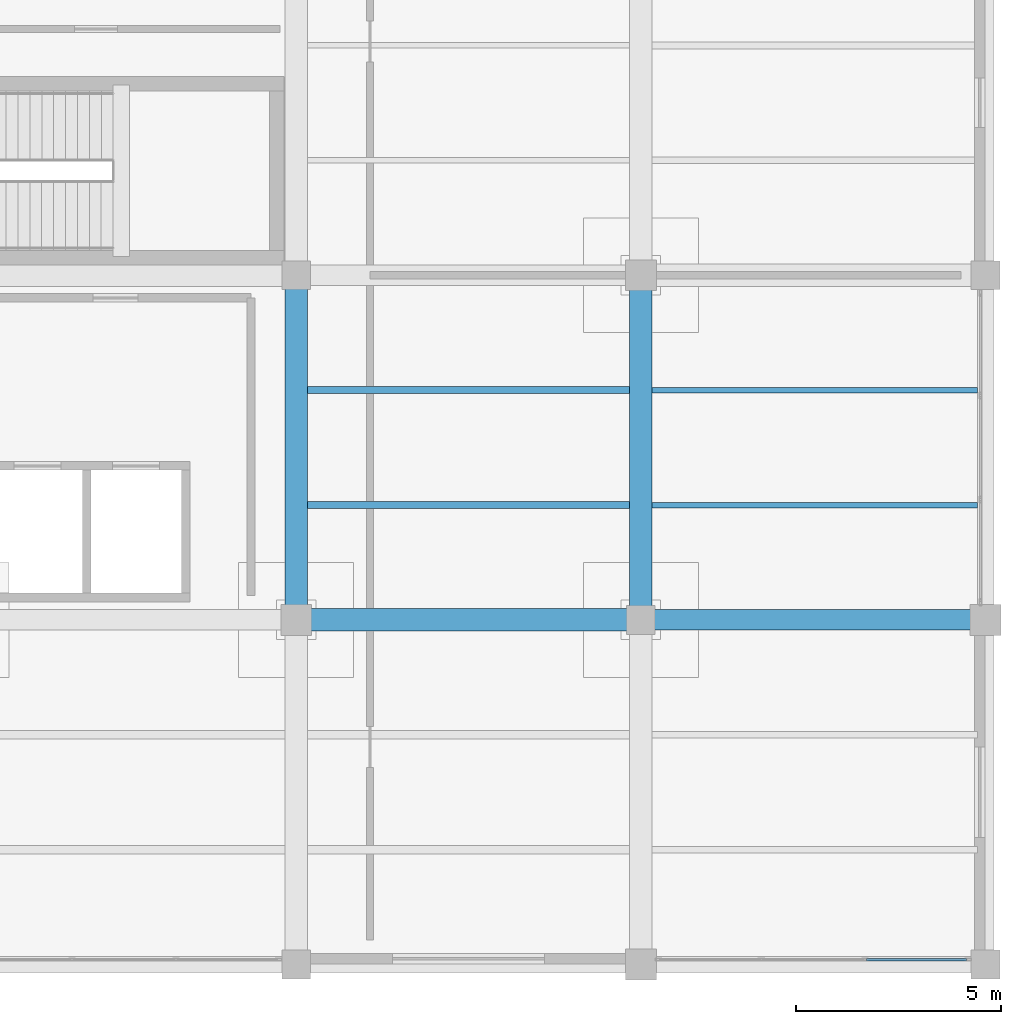
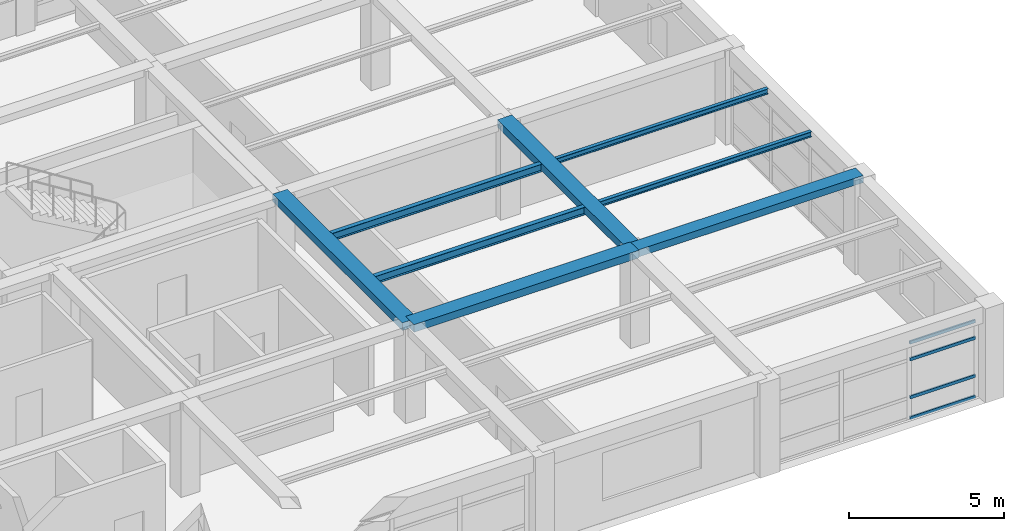
# One storey, part 14 of 31: 8 beams, 4 members, 1 element without a shape of its own.
"""IFC4 building model written with IfcOpenShell, lengths in metres."""

from ifc_helpers import new_model, si_unit, direction, frame, origin, origin_2d, place, context, subcontext, project, spatial, rectangle, hollow_rectangle, i_section, extrude, material, material_profile, profile_set, type_object, element, aggregate, save


model = new_model("IFC4")

# Units and contexts
model_context = context("Model", 3, precision=1e-05, world=origin(), true_north=direction((0.0, 1.0)))
body_context = subcontext(model_context, "Body", "Model", "MODEL_VIEW")
ifc_project = project(units=[si_unit("LENGTHUNIT", "METRE"), si_unit("AREAUNIT", "SQUARE_METRE"), si_unit("VOLUMEUNIT", "CUBIC_METRE"), si_unit("PLANEANGLEUNIT", "RADIAN"), si_unit("MASSUNIT", "GRAM", prefix="KILO")], contexts=[model_context])

# Site, building, storey
site_placement = place(None, origin())
site = spatial("IfcSite", under=ifc_project, at=site_placement, CompositionType="ELEMENT")
building_placement = place(site_placement, origin())
building = spatial("IfcBuilding", under=site, at=building_placement, Name="Almacenes y Pasaje Nevantli", CompositionType="ELEMENT")
storey_placement = place(building_placement, frame((0.0, 0.0, 34.699951171875)))
storey = spatial("IfcBuildingStorey", under=building, at=storey_placement, Name="L08", CompositionType="ELEMENT", Elevation=34.699951171875)

# Beams
ifc_material_1 = material(Name="Concrete C35/45", Category="concrete")
ifc_material_profile_1 = material_profile(ifc_material_1, rectangle(XDim=0.5, YDim=0.280029296875, at=origin_2d()), Name="RC-BM-500x280")
ifc_profile_set_1 = profile_set([ifc_material_profile_1], Name="Concrete C35/45")
beam_type_1 = type_object("IfcBeamType", Name="BM-RC-500x280", PredefinedType="BEAM", material=ifc_profile_set_1)
beam_placement = place(storey_placement, frame((151.199951171875, 75.60009765625, 3.580078125), z_axis=(1.0, 0.0, 0.0), x_axis=(0.0, 1.0, 0.0)))
element("IfcBeam", 1, at=beam_placement, inside=storey, type_object=beam_type_1, Name="L08 East-West Reinforced Concrete Beam #3696", PredefinedType="BEAM", context=body_context, shape_type="SweptSolid", body=[
    extrude(rectangle(XDim=0.5, YDim=0.280029296875, at=origin_2d()), origin(), (0.0, 0.0, 1.0), 8.400146484375),
])
ifc_material_2 = material(Name="Concrete C35/45", Category="concrete")
ifc_material_profile_2 = material_profile(ifc_material_2, rectangle(XDim=0.550048828125, YDim=0.300048828125, at=origin_2d()), Name="RC-BM-550x300")
ifc_profile_set_2 = profile_set([ifc_material_profile_2], Name="Concrete C35/45")
beam_type_2 = type_object("IfcBeamType", Name="BM-RC-550x300", PredefinedType="BEAM", material=ifc_profile_set_2)
for number, where, z_axis, x_axis, name in (
    (2, (142.800048828125, 75.60009765625, 3.570068359375), (1.0, 0.0, 0.0), (0.0, 1.0, 0.0), "L08 East-West Reinforced Concrete Beam #3695"),
    (3, (142.800048828125, 75.60009765625, 3.570068359375), (0.0, 1.0, 0.0), (-1.0, 0.0, 0.0), "L08 North-South Reinforced Concrete Beam #3730"),
    (4, (151.199951171875, 75.60009765625, 3.570068359375), (0.0, 1.0, 0.0), (-1.0, 0.0, 0.0), "L08 North-South Reinforced Concrete Beam #3734"),
):
    element("IfcBeam", number, at=place(storey_placement, frame(where, z_axis=z_axis, x_axis=x_axis)), inside=storey, type_object=beam_type_2, Name=name, PredefinedType="BEAM", context=body_context, shape_type="SweptSolid", body=[
        extrude(rectangle(XDim=0.550048828125, YDim=0.300048828125, at=origin_2d()), origin(), (0.0, 0.0, 1.0), 8.39990234375),
    ])
ifc_material_3 = material(Name="Steel ASTM A992", Category="steel")
ifc_material_profile_3 = material_profile(ifc_material_3, i_section(OverallWidth=0.134033203125, OverallDepth=0.2099609375, WebThickness=0.00634765625, FlangeThickness=0.01025390625, at=origin_2d()), Name="IR 203x31.3")
ifc_profile_set_3 = profile_set([ifc_material_profile_3], Name="Steel ASTM A992")
beam_type_3 = type_object("IfcBeamType", Name="BM-STL-IR-203x31p3", PredefinedType="JOIST", material=ifc_profile_set_3)
for number, where, z_axis, x_axis, name in (
    (5, (151.47509765625, 78.39990234375, 3.60693359375), (1.0, 0.0, 0.0), (0.0, 1.0, 0.0), "L08 Secondary Steel Floor Joist #1449"),
    (6, (151.47509765625, 81.199951171875, 3.60693359375), (1.0, 0.0, 0.0), (0.0, 1.0, 0.0), "L08 Secondary Steel Floor Joist #1450"),
):
    element("IfcBeam", number, at=place(storey_placement, frame(where, z_axis=z_axis, x_axis=x_axis)), inside=storey, type_object=beam_type_3, Name=name, PredefinedType="JOIST", context=body_context, shape_type="SweptSolid", body=[
        extrude(i_section(OverallWidth=0.134033203125, OverallDepth=0.2099609375, WebThickness=0.00634765625, FlangeThickness=0.01025390625, at=origin_2d()), origin(), (0.0, 0.0, 1.0), 7.9248046875),
    ])
ifc_material_4 = material(Name="Steel ASTM A992", Category="steel")
ifc_material_profile_4 = material_profile(ifc_material_4, i_section(OverallWidth=0.1650390625, OverallDepth=0.306884765625, WebThickness=0.006591796875, FlangeThickness=0.01025390625, at=origin_2d()), Name="IR 305x44.6")
ifc_profile_set_4 = profile_set([ifc_material_profile_4], Name="Steel ASTM A992")
beam_type_4 = type_object("IfcBeamType", Name="BM-STL-IR-305x44p6", PredefinedType="JOIST", material=ifc_profile_set_4)
for number, where, z_axis, x_axis, name in (
    (7, (143.074951171875, 78.39990234375, 3.55859375), (1.0, 0.0, 0.0), (0.0, 1.0, 0.0), "L08 Secondary Steel Floor Joist #1441"),
    (8, (143.074951171875, 81.199951171875, 3.55859375), (1.0, 0.0, 0.0), (0.0, 1.0, 0.0), "L08 Secondary Steel Floor Joist #1442"),
):
    element("IfcBeam", number, at=place(storey_placement, frame(where, z_axis=z_axis, x_axis=x_axis)), inside=storey, type_object=beam_type_4, Name=name, PredefinedType="JOIST", context=body_context, shape_type="SweptSolid", body=[
        extrude(i_section(OverallWidth=0.1650390625, OverallDepth=0.306884765625, WebThickness=0.006591796875, FlangeThickness=0.01025390625, at=origin_2d()), origin(), (0.0, 0.0, 1.0), 7.85009765625),
    ])

# Curtain wall, members
ifc_material_5 = material(Name="Thermally Broken Aluminium and Low-E Glass", Category="aluminium")
curtain_wall_type = type_object("IfcCurtainWallType", Name="CW-UNIT-TOWER", PredefinedType="USERDEFINED", material=ifc_material_5)
curtain_wall_placement = place(storey_placement, origin())
curtain_wall = element("IfcCurtainWall", 9, at=curtain_wall_placement, inside=storey, type_object=curtain_wall_type, Name="L08 Tower South Unitized Curtain Wall Bay 19", ObjectType="UNITIZED CURTAIN WALL", PredefinedType="USERDEFINED")
ifc_material_6 = material(Name="Thermally Broken Anodized Aluminium", Category="aluminium")
ifc_material_profile_5 = material_profile(ifc_material_6, hollow_rectangle(XDim=0.06005859375, YDim=0.1201171875, WallThickness=0.00341796875, at=origin_2d()), Name="ALU-TRN-60x120")
ifc_profile_set_5 = profile_set([ifc_material_profile_5], Name="Thermally Broken Anodized Aluminium")
member_type = type_object("IfcMemberType", Name="CW-TRN-130", PredefinedType="USERDEFINED", material=ifc_profile_set_5)
member_1_placement = place(storey_placement, frame((156.69677734375, 67.320068359375, 0.030029296875), z_axis=(1.0, 0.0, 0.0), x_axis=(0.0, 1.0, 0.0)))
member_1 = element("IfcMember", 10, at=member_1_placement, type_object=member_type, Name="CW-L08-126 transom 3.1", ObjectType="TRANSOM", PredefinedType="USERDEFINED", context=body_context, shape_type="SweptSolid", body=[
    extrude(hollow_rectangle(XDim=0.06005859375, YDim=0.1201171875, WallThickness=0.00341796875, at=origin_2d()), origin(), (0.0, 0.0, 1.0), 2.443115234375),
])
member_2_placement = place(storey_placement, frame((156.69677734375, 67.320068359375, 0.85009765625), z_axis=(1.0, 0.0, 0.0), x_axis=(0.0, 1.0, 0.0)))
member_2 = element("IfcMember", 11, at=member_2_placement, type_object=member_type, Name="CW-L08-126 transom 3.2", ObjectType="TRANSOM", PredefinedType="USERDEFINED", context=body_context, shape_type="SweptSolid", body=[
    extrude(hollow_rectangle(XDim=0.06005859375, YDim=0.1201171875, WallThickness=0.00341796875, at=origin_2d()), origin(), (0.0, 0.0, 1.0), 2.443115234375),
])
member_3_placement = place(storey_placement, frame((156.69677734375, 67.320068359375, 2.35009765625), z_axis=(1.0, 0.0, 0.0), x_axis=(0.0, 1.0, 0.0)))
member_3 = element("IfcMember", 12, at=member_3_placement, type_object=member_type, Name="CW-L08-126 transom 3.3", ObjectType="TRANSOM", PredefinedType="USERDEFINED", context=body_context, shape_type="SweptSolid", body=[
    extrude(hollow_rectangle(XDim=0.06005859375, YDim=0.1201171875, WallThickness=0.00341796875, at=origin_2d()), origin(), (0.0, 0.0, 1.0), 2.443115234375),
])
member_4_placement = place(storey_placement, frame((156.69677734375, 67.320068359375, 3.010009765625), z_axis=(1.0, 0.0, 0.0), x_axis=(0.0, 1.0, 0.0)))
member_4 = element("IfcMember", 13, at=member_4_placement, type_object=member_type, Name="CW-L08-126 transom 3.4", ObjectType="TRANSOM", PredefinedType="USERDEFINED", context=body_context, shape_type="SweptSolid", body=[
    extrude(hollow_rectangle(XDim=0.06005859375, YDim=0.1201171875, WallThickness=0.00341796875, at=origin_2d()), origin(), (0.0, 0.0, 1.0), 2.443115234375),
])
aggregate(curtain_wall, [member_1, member_2, member_3, member_4])

save(model, "model.ifc")
